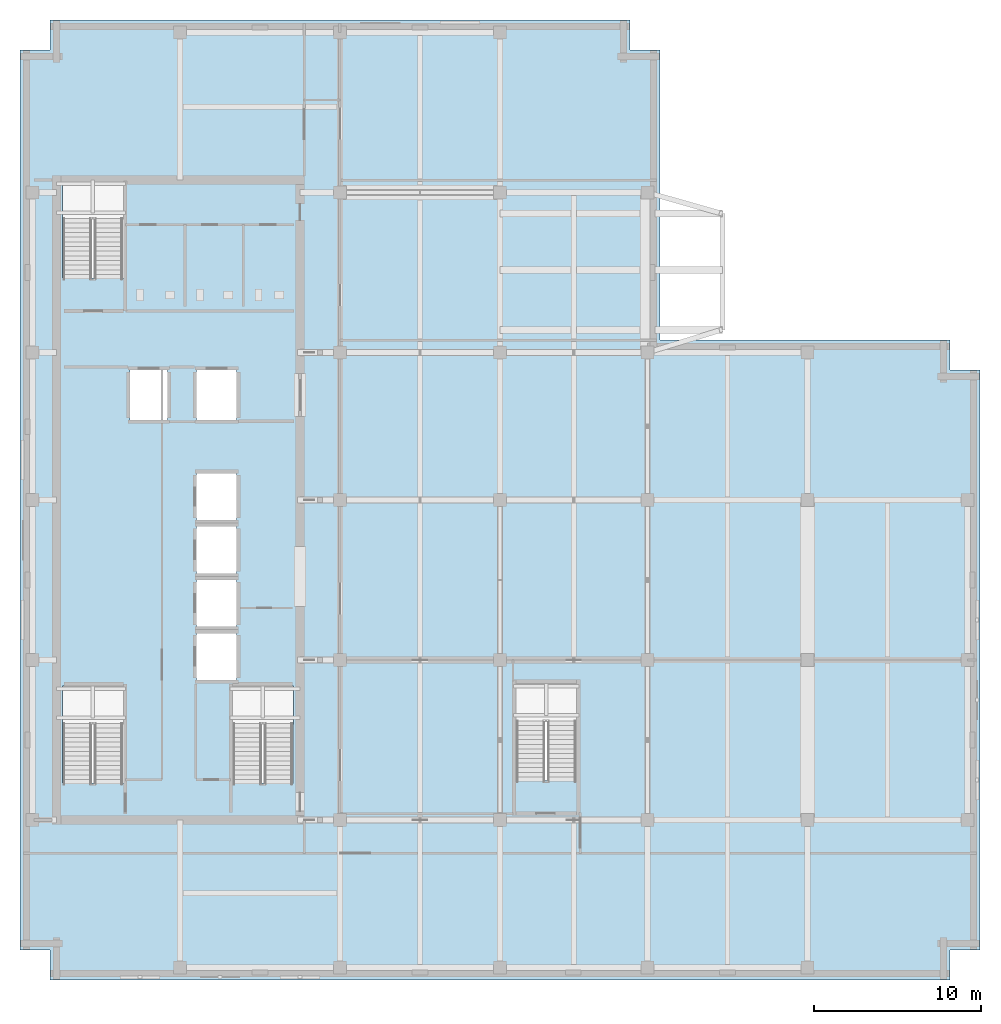
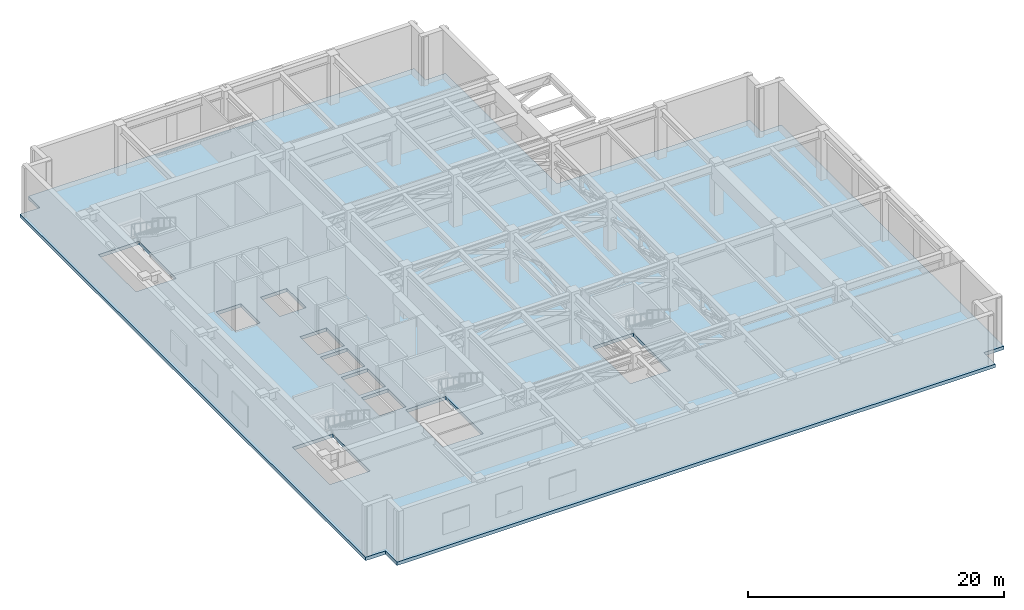
# One storey, part 9 of 19: 1 slab.
"""IFC4 building model written with IfcOpenShell, lengths in metres."""

from ifc_helpers import new_model, si_unit, direction, frame, origin, place, context, subcontext, project, spatial, polyline, outline, extrude, material, layer, layer_set, type_object, element, save


model = new_model("IFC4")

# Units and contexts
model_context = context("Model", 3, precision=1e-05, world=origin(), true_north=direction((0.0, 1.0)))
body_context = subcontext(model_context, "Body", "Model", "MODEL_VIEW")
ifc_project = project(units=[si_unit("LENGTHUNIT", "METRE"), si_unit("AREAUNIT", "SQUARE_METRE"), si_unit("VOLUMEUNIT", "CUBIC_METRE"), si_unit("PLANEANGLEUNIT", "RADIAN"), si_unit("MASSUNIT", "GRAM", prefix="KILO")], contexts=[model_context])

# Site, building, storey
site_placement = place(None, origin())
site = spatial("IfcSite", under=ifc_project, at=site_placement, CompositionType="ELEMENT")
building_placement = place(site_placement, origin())
building = spatial("IfcBuilding", under=site, at=building_placement, Name="Norrvale University Quadrangle", CompositionType="ELEMENT")
storey_placement = place(building_placement, frame((0.0, 0.0, 256.0)))
storey = spatial("IfcBuildingStorey", under=building, at=storey_placement, Name="L65", CompositionType="ELEMENT", Elevation=256.0)

# Slab
ifc_material = material(Name="Concrete C40/50", Category="concrete")
ifc_layer = layer(ifc_material, 0.320068359375, Name="Concrete C40/50")
ifc_layer_set = layer_set([ifc_layer], Name="Concrete C40/50")
slab_type = type_object("IfcSlabType", Name="Slab Plant 320", PredefinedType="FLOOR", material=ifc_layer_set)
slab_placement = place(storey_placement, frame((0.0, 0.0, -0.320068359375)))
element("IfcSlab", 1, at=slab_placement, inside=storey, type_object=slab_type, Name="Tower L65 Floor Slab", PredefinedType="FLOOR", context=body_context, shape_type="SweptSolid", body=[
    extrude(outline(polyline([(1.800048828125, 0.0), (55.800048828125, 0.0), (55.800048828125, 1.800048828125), (57.60009765625, 1.800048828125), (57.60009765625, 36.60009765625), (55.800048828125, 36.60009765625), (55.800048828125, 38.39990234375), (38.39990234375, 38.39990234375), (38.39990234375, 55.800048828125), (36.60009765625, 55.800048828125), (36.60009765625, 57.60009765625), (1.800048828125, 57.60009765625), (1.800048828125, 55.800048828125), (0.0, 55.800048828125), (0.0, 1.800048828125), (1.800048828125, 1.800048828125), (1.800048828125, 0.0)]), holes=[polyline([(2.550048828125, 11.81005859375), (6.199951171875, 11.81005859375), (6.199951171875, 17.64990234375), (2.550048828125, 17.64990234375), (2.550048828125, 11.81005859375)]), polyline([(2.550048828125, 42.110107421875), (6.199951171875, 42.110107421875), (6.199951171875, 47.949951171875), (2.550048828125, 47.949951171875), (2.550048828125, 42.110107421875)]), polyline([(12.75, 11.81005859375), (16.39990234375, 11.81005859375), (16.39990234375, 17.64990234375), (12.75, 17.64990234375), (12.75, 11.81005859375)]), polyline([(29.75, 11.9599609375), (33.39990234375, 11.9599609375), (33.39990234375, 17.800048828125), (29.75, 17.800048828125), (29.75, 11.9599609375)]), polyline([(10.60009765625, 18.0), (13.0, 18.0), (13.0, 20.800048828125), (10.60009765625, 20.800048828125), (10.60009765625, 18.0)]), polyline([(10.60009765625, 21.199951171875), (13.0, 21.199951171875), (13.0, 24.0), (10.60009765625, 24.0), (10.60009765625, 21.199951171875)]), polyline([(10.60009765625, 24.39990234375), (13.0, 24.39990234375), (13.0, 27.199951171875), (10.60009765625, 27.199951171875), (10.60009765625, 24.39990234375)]), polyline([(10.60009765625, 27.60009765625), (13.0, 27.60009765625), (13.0, 30.39990234375), (10.60009765625, 30.39990234375), (10.60009765625, 27.60009765625)]), polyline([(6.60009765625, 33.60009765625), (8.85009765625, 33.60009765625), (8.85009765625, 36.60009765625), (6.60009765625, 36.60009765625), (6.60009765625, 33.60009765625)]), polyline([(10.60009765625, 33.60009765625), (13.0, 33.60009765625), (13.0, 36.60009765625), (10.60009765625, 36.60009765625), (10.60009765625, 33.60009765625)])]), origin(), (0.0, 0.0, 1.0), 0.320068359375),
])

save(model, "model.ifc")
